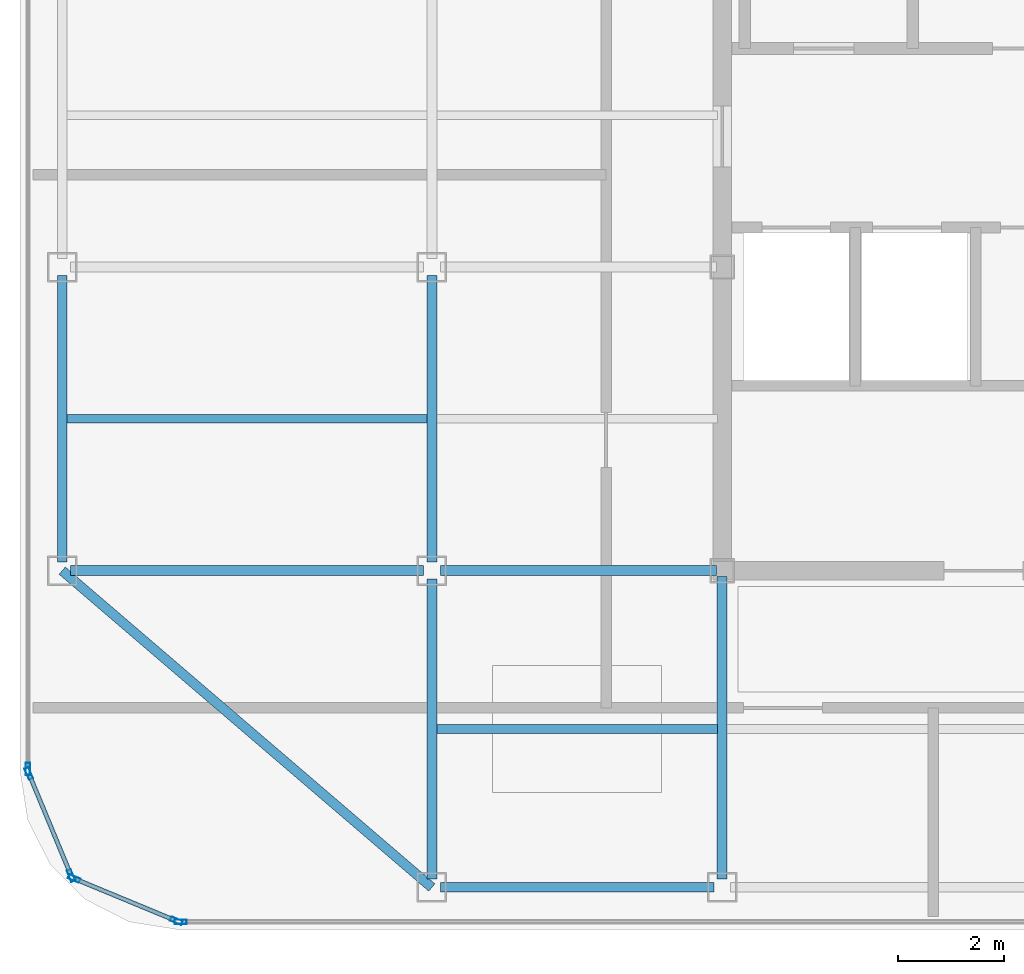
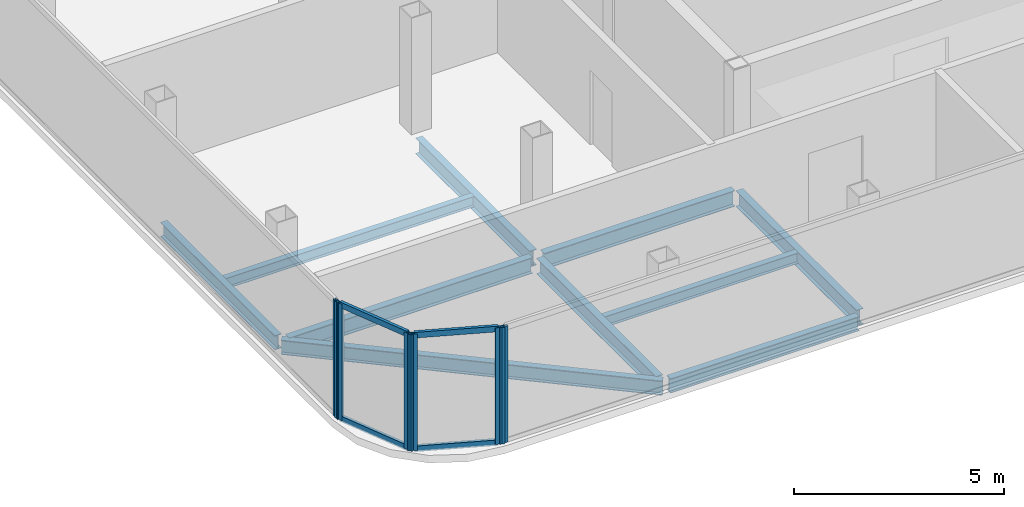
# One storey, part 2 of 11: 10 beams, 10 members, 4 elements without a shape of their own.
"""IFC4 building model written with IfcOpenShell, lengths in metres."""

import ifcopenshell
import ifcopenshell.guid

model = None  # the IFC model being written
_history = None  # IfcOwnerHistory: only IFC2X3 demands one
_inside = {}  # id of a spatial element -> (the spatial element, [elements in it])
_under = {}  # id of a project, library or spatial element -> (it, [spatial elements below it])
_declared = {}  # id of a project -> (the project, [libraries it declares])
_typed = {}  # id of a type object -> (the type object, [elements of that type])
_made_of = {}  # id of a material, layer set ... -> (it, [elements and type objects made of it])


def new_model(schema):
    """Start an empty IFC model of exactly this schema.

    Asked for "IFC4X3", IfcOpenShell would pick the latest addendum, in which some entities
    have other attributes; the version numbers below select the first issue.
    IFC2X3 requires an IfcOwnerHistory on every rooted entity: one is made here for all.
    """
    global model, _history
    if schema == "IFC4X3":
        model = ifcopenshell.file(schema_version=(4, 3, 0, 0))
    else:
        model = ifcopenshell.file(schema=schema)
    _inside.clear()
    _under.clear()
    _declared.clear()
    _typed.clear()
    _made_of.clear()
    _history = None
    if model.schema == "IFC2X3":
        org = make("IfcOrganization", Name="unknown")
        user = make(
            "IfcPersonAndOrganization",
            ThePerson=make("IfcPerson", FamilyName="unknown"),
            TheOrganization=org,
        )
        app = make(
            "IfcApplication",
            ApplicationDeveloper=org,
            Version="unknown",
            ApplicationFullName="unknown",
            ApplicationIdentifier="unknown",
        )
        _history = make(
            "IfcOwnerHistory",
            OwningUser=user,
            OwningApplication=app,
            ChangeAction="ADDED",
            CreationDate=0,
        )
    return model


def make(cls, **values):
    """One entity of the class cls with the attributes given. An attribute that is None is left unset."""
    return model.create_entity(
        cls, **{name: value for name, value in values.items() if value is not None}
    )


def rooted(cls, **values):
    """An entity with a GlobalId (a new one), such as an element, a storey or a relation."""
    return make(cls, GlobalId=ifcopenshell.guid.new(), OwnerHistory=_history, **values)


def si_unit(unit_type, name, prefix=None):
    """IfcSIUnit, for example si_unit("LENGTHUNIT", "METRE", prefix="MILLI")."""
    return make("IfcSIUnit", UnitType=unit_type, Prefix=prefix, Name=name)


def assignment(units):
    """IfcUnitAssignment: the units of a project."""
    return None if units is None else make("IfcUnitAssignment", Units=units)


def point(xyz):
    """IfcCartesianPoint."""
    return None if xyz is None else make("IfcCartesianPoint", Coordinates=xyz)


def direction(xyz):
    """IfcDirection."""
    return None if xyz is None else make("IfcDirection", DirectionRatios=xyz)


def frame(location, z_axis=None, x_axis=None):
    """IfcAxis2Placement3D, a coordinate frame: its origin and axes. An axis left out is left unset."""
    return make(
        "IfcAxis2Placement3D",
        Location=point(location),
        Axis=direction(z_axis),
        RefDirection=direction(x_axis),
    )


def frame_2d(location, x_axis=None):
    """IfcAxis2Placement2D, a coordinate frame in the plane: its origin and x axis."""
    return make(
        "IfcAxis2Placement2D", Location=point(location), RefDirection=direction(x_axis)
    )


def origin():
    """The frame at (0, 0, 0) with its axes left unset."""
    return frame((0.0, 0.0, 0.0))


def origin_2d():
    """The frame at (0, 0) in the plane with its x axis left unset."""
    return frame_2d((0.0, 0.0))


def place(relative_to, where):
    """IfcLocalPlacement: puts the frame where relative to a parent placement (None: the world)."""
    return make(
        "IfcLocalPlacement", PlacementRelTo=relative_to, RelativePlacement=where
    )


def context(
    kind, dimensions, precision=None, world=None, true_north=None, identifier=None
):
    """IfcGeometricRepresentationContext, for example the 3D "Model" context."""
    return make(
        "IfcGeometricRepresentationContext",
        ContextIdentifier=identifier,
        ContextType=kind,
        CoordinateSpaceDimension=dimensions,
        Precision=precision,
        WorldCoordinateSystem=world,
        TrueNorth=true_north,
    )


def subcontext(parent, identifier, kind, view, scale=None):
    """IfcGeometricRepresentationSubContext, for example "Body" below "Model"."""
    return make(
        "IfcGeometricRepresentationSubContext",
        ContextIdentifier=identifier,
        ContextType=kind,
        ParentContext=parent,
        TargetScale=scale,
        TargetView=view,
    )


def project(units=None, contexts=None):
    """IfcProject with its units and contexts."""
    return rooted(
        "IfcProject",
        Name="project",
        RepresentationContexts=contexts,
        UnitsInContext=assignment(units),
    )


def spatial(cls, under=None, at=None, **own):
    """A site, building, storey or space (cls), placed at a placement, below another one or the project."""
    s = rooted(cls, ObjectPlacement=at, **own)
    if under is not None:
        _under.setdefault(under.id(), (under, []))[1].append(s)
    return s


def profile(cls, at=None, kind="AREA", **sizes):
    """A parametric profile (cls). Its sizes go by their IFC names, for example OverallWidth=200.0."""
    return make(cls, ProfileType=kind, Position=at, **sizes)


def hollow_rectangle(**sizes):
    """IfcRectangleHollowProfileDef."""
    return profile("IfcRectangleHollowProfileDef", **sizes)


def i_section(**sizes):
    """IfcIShapeProfileDef."""
    return profile("IfcIShapeProfileDef", **sizes)


def extrude(swept, where, along, depth):
    """IfcExtrudedAreaSolid: the profile swept, set in the frame where, extruded along a direction by depth."""
    return make(
        "IfcExtrudedAreaSolid",
        SweptArea=swept,
        Position=where,
        ExtrudedDirection=direction(along),
        Depth=depth,
    )


def shape(context_of_items, identifier, shape_type, items):
    """IfcShapeRepresentation: the items that make up one representation, for example the "Body"."""
    return make(
        "IfcShapeRepresentation",
        ContextOfItems=context_of_items,
        RepresentationIdentifier=identifier,
        RepresentationType=shape_type,
        Items=items,
    )


def source(mapping_origin, context_of_items, identifier, shape_type, items):
    """IfcRepresentationMap: a shape defined once, which mapped items show again and again."""
    return make(
        "IfcRepresentationMap",
        MappingOrigin=mapping_origin,
        MappedRepresentation=shape(context_of_items, identifier, shape_type, items),
    )


def transform(
    local_origin,
    x_axis=None,
    y_axis=None,
    z_axis=None,
    scale=None,
    scale2=None,
    scale3=None,
    uniform=True,
):
    """IfcCartesianTransformationOperator3D, or its non-uniform kind. x_axis, y_axis, z_axis: its Axis1, 2, 3."""
    if uniform:
        return make(
            "IfcCartesianTransformationOperator3D",
            Axis1=direction(x_axis),
            Axis2=direction(y_axis),
            LocalOrigin=point(local_origin),
            Scale=scale,
            Axis3=direction(z_axis),
        )
    return make(
        "IfcCartesianTransformationOperator3DnonUniform",
        Axis1=direction(x_axis),
        Axis2=direction(y_axis),
        LocalOrigin=point(local_origin),
        Scale=scale,
        Axis3=direction(z_axis),
        Scale2=scale2,
        Scale3=scale3,
    )


def mapped(mapping_source, mapping_target):
    """IfcMappedItem: shows the shape of a source again, moved by a transform."""
    return make(
        "IfcMappedItem", MappingSource=mapping_source, MappingTarget=mapping_target
    )


def material(Name=None, Category=None):
    """IfcMaterial."""
    return make("IfcMaterial", Name=Name, Category=Category)


def layer(
    of_material, thickness, ventilated=None, Name=None, Category=None, Priority=None
):
    """IfcMaterialLayer: one layer of a wall or slab, of a material (None: an air gap)."""
    return make(
        "IfcMaterialLayer",
        Material=of_material,
        LayerThickness=thickness,
        IsVentilated=ventilated,
        Name=Name,
        Category=Category,
        Priority=Priority,
    )


def layer_set(layers, Name=None):
    """IfcMaterialLayerSet."""
    return make("IfcMaterialLayerSet", MaterialLayers=layers, LayerSetName=Name)


def material_profile(
    of_material, cross_section, Name=None, Category=None, Priority=None
):
    """IfcMaterialProfile: a cross section and its material."""
    return make(
        "IfcMaterialProfile",
        Name=Name,
        Material=of_material,
        Profile=cross_section,
        Priority=Priority,
        Category=Category,
    )


def profile_set(profiles, Name=None, composite=None):
    """IfcMaterialProfileSet."""
    return make(
        "IfcMaterialProfileSet",
        Name=Name,
        MaterialProfiles=profiles,
        CompositeProfile=composite,
    )


def made_of(thing, what):
    """Note that an element or type object is made of a material, layer set ...; save() writes the relation."""
    if what is not None:
        _made_of.setdefault(what.id(), (what, []))[1].append(thing)
    return thing


def type_object(cls, material=None, **own):
    """A type object (cls), such as IfcWallType, which elements share."""
    return made_of(rooted(cls, **own), material)


def element(
    cls,
    number,
    at=None,
    inside=None,
    cuts=None,
    type_object=None,
    material=None,
    context=None,
    identifier="Body",
    shape_type=None,
    held_by="IfcProductDefinitionShape",
    body=None,
    shapes=None,
    **own,
):
    """One element of the class cls, such as IfcWall. Its Tag is "e" and its number.

    at: its placement. inside: the storey or other place that contains it. cuts: it is an
    opening in that element (IfcRelVoidsElement). A single representation is given by context,
    identifier, shape_type and body (its items); several are given by shapes. held_by: the class
    of the entity that holds the representations. save() writes the other relations.
    """
    e = rooted(cls, Tag="e%d" % number, ObjectPlacement=at, **own)
    if body is not None:
        shapes = [shape(context, identifier, shape_type, body)]
    if shapes is not None:
        e.Representation = make(held_by, Representations=shapes)
    if inside is not None:
        _inside.setdefault(inside.id(), (inside, []))[1].append(e)
    if cuts is not None:
        rooted(
            "IfcRelVoidsElement", RelatingBuildingElement=cuts, RelatedOpeningElement=e
        )
    if type_object is not None:
        _typed.setdefault(type_object.id(), (type_object, []))[1].append(e)
    return made_of(e, material)


def aggregate(whole, parts):
    """IfcRelAggregates: a whole, such as a stair, and the parts it consists of."""
    return rooted("IfcRelAggregates", RelatingObject=whole, RelatedObjects=parts)


def save(model, path):
    """Write the relations noted so far, then the file.

    IfcRelAggregates (storeys below a building ...), IfcRelContainedInSpatialStructure (elements
    in a storey), IfcRelDefinesByType, IfcRelAssociatesMaterial and IfcRelDeclares: one each for
    every whole, place, type object, material and project.
    """
    for whole, parts in _under.values():
        aggregate(whole, parts)
    for where, things in _inside.values():
        rooted(
            "IfcRelContainedInSpatialStructure",
            RelatedElements=things,
            RelatingStructure=where,
        )
    for kind, things in _typed.values():
        rooted("IfcRelDefinesByType", RelatedObjects=things, RelatingType=kind)
    for what, things in _made_of.values():
        rooted("IfcRelAssociatesMaterial", RelatedObjects=things, RelatingMaterial=what)
    for by, libraries in _declared.values():
        rooted("IfcRelDeclares", RelatingContext=by, RelatedDefinitions=libraries)
    model.write(path)


model = new_model("IFC4")

# Units and contexts
model_context = context("Model", 3, precision=1e-05, world=origin(), true_north=direction((0.0, 1.0)))
body_context = subcontext(model_context, "Body", "Model", "MODEL_VIEW")
ifc_project = project(units=[si_unit("LENGTHUNIT", "METRE"), si_unit("AREAUNIT", "SQUARE_METRE"), si_unit("VOLUMEUNIT", "CUBIC_METRE"), si_unit("PLANEANGLEUNIT", "RADIAN"), si_unit("MASSUNIT", "GRAM", prefix="KILO")], contexts=[model_context])

# Site, building, storey
site_placement = place(None, origin())
site = spatial("IfcSite", under=ifc_project, at=site_placement, CompositionType="ELEMENT")
building_placement = place(site_placement, origin())
building = spatial("IfcBuilding", under=site, at=building_placement, Name="Kolveth Station Tower", CompositionType="ELEMENT")
storey_placement = place(building_placement, frame((0.0, 0.0, 274.89990234375)))
storey = spatial("IfcBuildingStorey", under=building, at=storey_placement, Name="L79", CompositionType="ELEMENT", Elevation=274.89990234375)

# Beams
ifc_material_1 = material(Name="Steel S355", Category="steel")
ifc_material_profile_1 = material_profile(ifc_material_1, i_section(OverallWidth=0.180908203125, OverallDepth=0.4169921875, WebThickness=0.010986328125, FlangeThickness=0.018310546875, at=origin_2d()), Name="W410x85")
ifc_profile_set_1 = profile_set([ifc_material_profile_1], Name="Steel S355")
beam_type_1 = type_object("IfcBeamType", Name="Beam_B8", PredefinedType="BEAM", material=ifc_profile_set_1)
shared_shape_1 = source(origin(), body_context, "Body", "SweptSolid", [
    extrude(i_section(OverallWidth=0.180908203125, OverallDepth=0.4169921875, WebThickness=0.010986328125, FlangeThickness=0.018310546875, at=origin_2d()), origin(), (0.0, 0.0, 1.0), 5.18017578125),
])
beam_1_placement = place(storey_placement, frame((13.159912109375, 5.5, -0.428466796875), z_axis=(1.0, 0.0, 0.0), x_axis=(0.0, 1.0, 0.0)))
element("IfcBeam", 1, at=beam_1_placement, inside=storey, type_object=beam_type_1, Name="L79 Perimeter Spandrel BM-L79-PS-1", PredefinedType="BEAM", context=body_context, shape_type="MappedRepresentation", body=[
    mapped(shared_shape_1, transform((0.0, 0.0, 0.0), x_axis=(1.0, 0.0, 0.0), y_axis=(0.0, 1.0, 0.0), z_axis=(0.0, 0.0, 1.0), scale=1.0)),
])
shared_shape_2 = source(origin(), body_context, "Body", "SweptSolid", [
    extrude(i_section(OverallWidth=0.180908203125, OverallDepth=0.4169921875, WebThickness=0.010986328125, FlangeThickness=0.018310546875, at=origin_2d()), origin(), (0.0, 0.0, 1.0), 5.43017578125),
])
beam_2_placement = place(storey_placement, frame((6.0, 11.659912109375, -0.428466796875), z_axis=(0.0, 1.0, 0.0), x_axis=(-1.0, 0.0, 0.0)))
element("IfcBeam", 2, at=beam_2_placement, inside=storey, type_object=beam_type_1, Name="L79 Perimeter Spandrel BM-L79-PW-1", PredefinedType="BEAM", context=body_context, shape_type="MappedRepresentation", body=[
    mapped(shared_shape_2, transform((0.0, 0.0, 0.0), x_axis=(1.0, 0.0, 0.0), y_axis=(0.0, 1.0, 0.0), z_axis=(0.0, 0.0, 1.0), scale=1.0)),
])
shared_shape_3 = source(origin(), body_context, "Body", "SweptSolid", [
    extrude(i_section(OverallWidth=0.180908203125, OverallDepth=0.4169921875, WebThickness=0.010986328125, FlangeThickness=0.018310546875, at=origin_2d()), origin(), (0.0, 0.0, 1.0), 9.219482421875),
])
beam_3_placement = place(storey_placement, frame((6.0, 11.5, -0.428466796875), z_axis=(0.759256602365, -0.650791373456, 0.0), x_axis=(0.650791373456, 0.759256602365, 0.0)))
element("IfcBeam", 3, at=beam_3_placement, inside=storey, type_object=beam_type_1, Name="L79 Corner Edge Girder BM-L79-CNR-SW", PredefinedType="BEAM", context=body_context, shape_type="MappedRepresentation", body=[
    mapped(shared_shape_3, transform((0.0, 0.0, 0.0), x_axis=(1.0, 0.0, 0.0), y_axis=(0.0, 1.0, 0.0), z_axis=(0.0, 0.0, 1.0), scale=1.0)),
])
ifc_material_profile_2 = material_profile(ifc_material_1, i_section(OverallWidth=0.19091796875, OverallDepth=0.4599609375, WebThickness=0.010009765625, FlangeThickness=0.01611328125, at=origin_2d()), Name="W460x82")
ifc_profile_set_2 = profile_set([ifc_material_profile_2], Name="Steel S355")
beam_type_2 = type_object("IfcBeamType", Name="Beam_B7", PredefinedType="BEAM", material=ifc_profile_set_2)
shared_shape_4 = source(origin(), body_context, "Body", "SweptSolid", [
    extrude(i_section(OverallWidth=0.19091796875, OverallDepth=0.4599609375, WebThickness=0.010009765625, FlangeThickness=0.01611328125, at=origin_2d()), origin(), (0.0, 0.0, 1.0), 6.68017578125),
])
beam_4_placement = place(storey_placement, frame((6.159912109375, 11.5, -0.449951171875), z_axis=(1.0, 0.0, 0.0), x_axis=(0.0, 1.0, 0.0)))
element("IfcBeam", 4, at=beam_4_placement, inside=storey, type_object=beam_type_2, Name="L79 Primary Girder BM-L79-GY115-1", PredefinedType="BEAM", context=body_context, shape_type="MappedRepresentation", body=[
    mapped(shared_shape_4, transform((0.0, 0.0, 0.0), x_axis=(1.0, 0.0, 0.0), y_axis=(0.0, 1.0, 0.0), z_axis=(0.0, 0.0, 1.0), scale=1.0)),
])
shared_shape_5 = source(origin(), body_context, "Body", "SweptSolid", [
    extrude(i_section(OverallWidth=0.19091796875, OverallDepth=0.4599609375, WebThickness=0.010009765625, FlangeThickness=0.01611328125, at=origin_2d()), origin(), (0.0, 0.0, 1.0), 5.22998046875),
])
beam_5_placement = place(storey_placement, frame((13.159912109375, 11.5, -0.449951171875), z_axis=(1.0, 0.0, 0.0), x_axis=(0.0, 1.0, 0.0)))
element("IfcBeam", 5, at=beam_5_placement, inside=storey, type_object=beam_type_2, Name="L79 Primary Girder BM-L79-GY115-2", PredefinedType="BEAM", context=body_context, shape_type="MappedRepresentation", body=[
    mapped(shared_shape_5, transform((0.0, 0.0, 0.0), x_axis=(1.0, 0.0, 0.0), y_axis=(0.0, 1.0, 0.0), z_axis=(0.0, 0.0, 1.0), scale=1.0)),
])
shared_shape_6 = source(origin(), body_context, "Body", "SweptSolid", [
    extrude(i_section(OverallWidth=0.19091796875, OverallDepth=0.4599609375, WebThickness=0.010009765625, FlangeThickness=0.01611328125, at=origin_2d()), origin(), (0.0, 0.0, 1.0), 5.68017578125),
])
beam_6_placement = place(storey_placement, frame((13.0, 5.659912109375, -0.449951171875), z_axis=(0.0, 1.0, 0.0), x_axis=(-1.0, 0.0, 0.0)))
element("IfcBeam", 6, at=beam_6_placement, inside=storey, type_object=beam_type_2, Name="L79 Primary Girder BM-L79-GX130-1", PredefinedType="BEAM", context=body_context, shape_type="MappedRepresentation", body=[
    mapped(shared_shape_6, transform((0.0, 0.0, 0.0), x_axis=(1.0, 0.0, 0.0), y_axis=(0.0, 1.0, 0.0), z_axis=(0.0, 0.0, 1.0), scale=1.0)),
])
shared_shape_7 = source(origin(), body_context, "Body", "SweptSolid", [
    extrude(i_section(OverallWidth=0.19091796875, OverallDepth=0.4599609375, WebThickness=0.010009765625, FlangeThickness=0.01611328125, at=origin_2d()), origin(), (0.0, 0.0, 1.0), 5.43017578125),
])
beam_7_placement = place(storey_placement, frame((13.0, 11.659912109375, -0.449951171875), z_axis=(0.0, 1.0, 0.0), x_axis=(-1.0, 0.0, 0.0)))
element("IfcBeam", 7, at=beam_7_placement, inside=storey, type_object=beam_type_2, Name="L79 Primary Girder BM-L79-GX130-2", PredefinedType="BEAM", context=body_context, shape_type="MappedRepresentation", body=[
    mapped(shared_shape_7, transform((0.0, 0.0, 0.0), x_axis=(1.0, 0.0, 0.0), y_axis=(0.0, 1.0, 0.0), z_axis=(0.0, 0.0, 1.0), scale=1.0)),
])
shared_shape_8 = source(origin(), body_context, "Body", "SweptSolid", [
    extrude(i_section(OverallWidth=0.19091796875, OverallDepth=0.4599609375, WebThickness=0.010009765625, FlangeThickness=0.01611328125, at=origin_2d()), origin(), (0.0, 0.0, 1.0), 5.72998046875),
])
beam_8_placement = place(storey_placement, frame((18.5, 5.659912109375, -0.449951171875), z_axis=(0.0, 1.0, 0.0), x_axis=(-1.0, 0.0, 0.0)))
element("IfcBeam", 8, at=beam_8_placement, inside=storey, type_object=beam_type_2, Name="L79 Primary Girder BM-L79-GX185-1", PredefinedType="BEAM", context=body_context, shape_type="MappedRepresentation", body=[
    mapped(shared_shape_8, transform((0.0, 0.0, 0.0), x_axis=(1.0, 0.0, 0.0), y_axis=(0.0, 1.0, 0.0), z_axis=(0.0, 0.0, 1.0), scale=1.0)),
])
ifc_material_profile_3 = material_profile(ifc_material_1, i_section(OverallWidth=0.1650390625, OverallDepth=0.31005859375, WebThickness=0.005859375, FlangeThickness=0.009765625, at=origin_2d()), Name="W310x39")
ifc_profile_set_3 = profile_set([ifc_material_profile_3], Name="Steel S355")
beam_type_3 = type_object("IfcBeamType", Name="Beam_J3", PredefinedType="JOIST", material=ifc_profile_set_3)
shared_shape_9 = source(origin(), body_context, "Body", "SweptSolid", [
    extrude(i_section(OverallWidth=0.1650390625, OverallDepth=0.31005859375, WebThickness=0.005859375, FlangeThickness=0.009765625, at=origin_2d()), origin(), (0.0, 0.0, 1.0), 6.818115234375),
])
beam_9_placement = place(storey_placement, frame((6.08837890625, 14.375, -0.375), z_axis=(1.0, 0.0, 0.0), x_axis=(0.0, 1.0, 0.0)))
element("IfcBeam", 9, at=beam_9_placement, inside=storey, type_object=beam_type_3, Name="L79 Secondary Joist JST-L79-1-2", PredefinedType="JOIST", context=body_context, shape_type="MappedRepresentation", body=[
    mapped(shared_shape_9, transform((0.0, 0.0, 0.0), x_axis=(1.0, 0.0, 0.0), y_axis=(0.0, 1.0, 0.0), z_axis=(0.0, 0.0, 1.0), scale=1.0)),
])
shared_shape_10 = source(origin(), body_context, "Body", "SweptSolid", [
    extrude(i_section(OverallWidth=0.1650390625, OverallDepth=0.31005859375, WebThickness=0.005859375, FlangeThickness=0.009765625, at=origin_2d()), origin(), (0.0, 0.0, 1.0), 5.31298828125),
])
beam_10_placement = place(storey_placement, frame((13.093505859375, 8.5, -0.375), z_axis=(1.0, 0.0, 0.0), x_axis=(0.0, 1.0, 0.0)))
element("IfcBeam", 10, at=beam_10_placement, inside=storey, type_object=beam_type_3, Name="L79 Secondary Joist JST-L79-2-1", PredefinedType="JOIST", context=body_context, shape_type="MappedRepresentation", body=[
    mapped(shared_shape_10, transform((0.0, 0.0, 0.0), x_axis=(1.0, 0.0, 0.0), y_axis=(0.0, 1.0, 0.0), z_axis=(0.0, 0.0, 1.0), scale=1.0)),
])

# Curtain wall, members
ifc_material_2 = material(Name="Black anodized aluminium 6063-T6 and dark crown glass", Category="aluminium")
ifc_layer = layer(ifc_material_2, 0.169921875)
ifc_layer_set = layer_set([ifc_layer], Name="Black anodized aluminium 6063-T6 and dark crown glass")
curtain_wall_type = type_object("IfcCurtainWallType", Name="CurtainWall_CW-CR", PredefinedType="NOTDEFINED", material=ifc_layer_set)
curtain_wall_1_placement = place(storey_placement, origin())
curtain_wall_1 = element("IfcCurtainWall", 11, at=curtain_wall_1_placement, inside=storey, type_object=curtain_wall_type, Name="L79 Stepped Crown Curtain Wall 10", PredefinedType="NOTDEFINED")
ifc_material_3 = material(Name="Black anodized aluminium 6063-T6", Category="aluminium")
ifc_material_profile_4 = material_profile(ifc_material_3, hollow_rectangle(XDim=0.080078125, YDim=0.1650390625, WallThickness=0.0048828125, at=origin_2d()), Name="ALU-80x165x5")
ifc_profile_set_4 = profile_set([ifc_material_profile_4], Name="Black anodized aluminium 6063-T6")
member_type_1 = type_object("IfcMemberType", Name="Transom_TR-CR", PredefinedType="USERDEFINED", material=ifc_profile_set_4)
shared_shape_11 = source(origin(), body_context, "Body", "SweptSolid", [
    extrude(hollow_rectangle(XDim=0.080078125, YDim=0.1650390625, WallThickness=0.0048828125, at=origin_2d()), origin(), (0.0, 0.0, 1.0), 2.011474609375),
])
member_1_placement = place(storey_placement, frame((5.382568359375, 7.62158203125, 0.0400390625), z_axis=(0.382580487431, -0.92392216698, 0.0), x_axis=(0.92392216698, 0.382580487431, 0.0)))
member_1 = element("IfcMember", 12, at=member_1_placement, type_object=member_type_1, Name="CW-CR transom 1.1", ObjectType="TRANSOM", PredefinedType="USERDEFINED", context=body_context, shape_type="MappedRepresentation", body=[
    mapped(shared_shape_11, transform((0.0, 0.0, 0.0), x_axis=(1.0, 0.0, 0.0), y_axis=(0.0, 1.0, 0.0), z_axis=(0.0, 0.0, 1.0), scale=1.0)),
])
member_2_placement = place(storey_placement, frame((5.382568359375, 7.62158203125, 3.340087890625), z_axis=(0.382580487431, -0.92392216698, 0.0), x_axis=(0.92392216698, 0.382580487431, 0.0)))
member_2 = element("IfcMember", 13, at=member_2_placement, type_object=member_type_1, Name="CW-CR transom 1.2", ObjectType="TRANSOM", PredefinedType="USERDEFINED", context=body_context, shape_type="MappedRepresentation", body=[
    mapped(shared_shape_11, transform((0.0, 0.0, 0.0), x_axis=(1.0, 0.0, 0.0), y_axis=(0.0, 1.0, 0.0), z_axis=(0.0, 0.0, 1.0), scale=1.0)),
])

curtain_wall_2_placement = place(storey_placement, origin())
curtain_wall_2 = element("IfcCurtainWall", 14, at=curtain_wall_2_placement, inside=storey, type_object=curtain_wall_type, Name="L79 Stepped Crown Curtain Wall 11", PredefinedType="NOTDEFINED")
member_3_placement = place(storey_placement, frame((6.26318359375, 5.652099609375, 0.0400390625), z_axis=(0.92392216698, -0.382580487431, 0.0), x_axis=(0.382580487431, 0.92392216698, 0.0)))
member_3 = element("IfcMember", 15, at=member_3_placement, type_object=member_type_1, Name="CW-CR transom 1.1", ObjectType="TRANSOM", PredefinedType="USERDEFINED", context=body_context, shape_type="MappedRepresentation", body=[
    mapped(shared_shape_11, transform((0.0, 0.0, 0.0), x_axis=(1.0, 0.0, 0.0), y_axis=(0.0, 1.0, 0.0), z_axis=(0.0, 0.0, 1.0), scale=1.0)),
])
member_4_placement = place(storey_placement, frame((6.26318359375, 5.652099609375, 3.340087890625), z_axis=(0.92392216698, -0.382580487431, 0.0), x_axis=(0.382580487431, 0.92392216698, 0.0)))
member_4 = element("IfcMember", 16, at=member_4_placement, type_object=member_type_1, Name="CW-CR transom 1.2", ObjectType="TRANSOM", PredefinedType="USERDEFINED", context=body_context, shape_type="MappedRepresentation", body=[
    mapped(shared_shape_11, transform((0.0, 0.0, 0.0), x_axis=(1.0, 0.0, 0.0), y_axis=(0.0, 1.0, 0.0), z_axis=(0.0, 0.0, 1.0), scale=1.0)),
])

# Curtain wall, member
curtain_wall_3_placement = place(storey_placement, origin())
curtain_wall_3 = element("IfcCurtainWall", 17, at=curtain_wall_3_placement, inside=storey, type_object=curtain_wall_type, Name="L79 Stepped Crown Curtain Wall 9", PredefinedType="NOTDEFINED")
ifc_material_profile_5 = material_profile(ifc_material_3, hollow_rectangle(XDim=0.0849609375, YDim=0.22998046875, WallThickness=0.0048828125, at=origin_2d()), Name="ALU-85x230x5")
ifc_profile_set_5 = profile_set([ifc_material_profile_5], Name="Black anodized aluminium 6063-T6")
member_type_2 = type_object("IfcMemberType", Name="Mullion_ML-CR", PredefinedType="MULLION", material=ifc_profile_set_5)
shared_shape_12 = source(origin(), body_context, "Body", "SweptSolid", [
    extrude(hollow_rectangle(XDim=0.0849609375, YDim=0.22998046875, WallThickness=0.0048828125, at=origin_2d()), origin(), (0.0, 0.0, 1.0), 3.380126953125),
])
member_5_placement = place(storey_placement, frame((5.35009765625, 7.742431640625, 0.0), z_axis=(0.0, 0.0, 1.0), x_axis=(1.0, 0.0, 0.0)))
member_5 = element("IfcMember", 18, at=member_5_placement, type_object=member_type_2, Name="CW-CR mullion 2", PredefinedType="MULLION", context=body_context, shape_type="MappedRepresentation", body=[
    mapped(shared_shape_12, transform((0.0, 0.0, 0.0), x_axis=(1.0, 0.0, 0.0), y_axis=(0.0, 1.0, 0.0), z_axis=(0.0, 0.0, 1.0), scale=1.0)),
])
aggregate(curtain_wall_3, [member_5])

# Member
member_6_placement = place(storey_placement, frame((5.3662109375, 7.66064453125, 0.0), z_axis=(0.0, 0.0, 1.0), x_axis=(0.923890001426, 0.382658157192, 0.0)))
member_6 = element("IfcMember", 19, at=member_6_placement, type_object=member_type_2, Name="CW-CR mullion 1", PredefinedType="MULLION", context=body_context, shape_type="MappedRepresentation", body=[
    mapped(shared_shape_12, transform((0.0, 0.0, 0.0), x_axis=(1.0, 0.0, 0.0), y_axis=(0.0, 1.0, 0.0), z_axis=(0.0, 0.0, 1.0), scale=1.0)),
])

member_7_placement = place(storey_placement, frame((6.16845703125, 5.723876953125, 0.0), z_axis=(0.0, 0.0, 1.0), x_axis=(0.923890001426, 0.382658157192, 0.0)))
member_7 = element("IfcMember", 20, at=member_7_placement, type_object=member_type_2, Name="CW-CR mullion 2", PredefinedType="MULLION", context=body_context, shape_type="MappedRepresentation", body=[
    mapped(shared_shape_12, transform((0.0, 0.0, 0.0), x_axis=(1.0, 0.0, 0.0), y_axis=(0.0, 1.0, 0.0), z_axis=(0.0, 0.0, 1.0), scale=1.0)),
])

aggregate(curtain_wall_1, [member_6, member_7, member_1, member_2])

member_8_placement = place(storey_placement, frame((6.223876953125, 5.66845703125, 0.0), z_axis=(0.0, 0.0, 1.0), x_axis=(0.382658157192, 0.923890001426, 0.0)))
member_8 = element("IfcMember", 21, at=member_8_placement, type_object=member_type_2, Name="CW-CR mullion 1", PredefinedType="MULLION", context=body_context, shape_type="MappedRepresentation", body=[
    mapped(shared_shape_12, transform((0.0, 0.0, 0.0), x_axis=(1.0, 0.0, 0.0), y_axis=(0.0, 1.0, 0.0), z_axis=(0.0, 0.0, 1.0), scale=1.0)),
])

member_9_placement = place(storey_placement, frame((8.16064453125, 4.8662109375, 0.0), z_axis=(0.0, 0.0, 1.0), x_axis=(0.382658157192, 0.923890001426, 0.0)))
member_9 = element("IfcMember", 22, at=member_9_placement, type_object=member_type_2, Name="CW-CR mullion 2", PredefinedType="MULLION", context=body_context, shape_type="MappedRepresentation", body=[
    mapped(shared_shape_12, transform((0.0, 0.0, 0.0), x_axis=(1.0, 0.0, 0.0), y_axis=(0.0, 1.0, 0.0), z_axis=(0.0, 0.0, 1.0), scale=1.0)),
])

aggregate(curtain_wall_2, [member_8, member_9, member_3, member_4])

# Curtain wall, member
curtain_wall_4_placement = place(storey_placement, origin())
curtain_wall_4 = element("IfcCurtainWall", 23, at=curtain_wall_4_placement, inside=storey, type_object=curtain_wall_type, Name="L79 Stepped Crown Curtain Wall 12", PredefinedType="NOTDEFINED")
member_10_placement = place(storey_placement, frame((8.242431640625, 4.85009765625, 0.0), z_axis=(0.0, 0.0, 1.0), x_axis=(0.0, 1.0, 0.0)))
member_10 = element("IfcMember", 24, at=member_10_placement, type_object=member_type_2, Name="CW-CR mullion 1", PredefinedType="MULLION", context=body_context, shape_type="MappedRepresentation", body=[
    mapped(shared_shape_12, transform((0.0, 0.0, 0.0), x_axis=(1.0, 0.0, 0.0), y_axis=(0.0, 1.0, 0.0), z_axis=(0.0, 0.0, 1.0), scale=1.0)),
])
aggregate(curtain_wall_4, [member_10])

save(model, "model.ifc")
